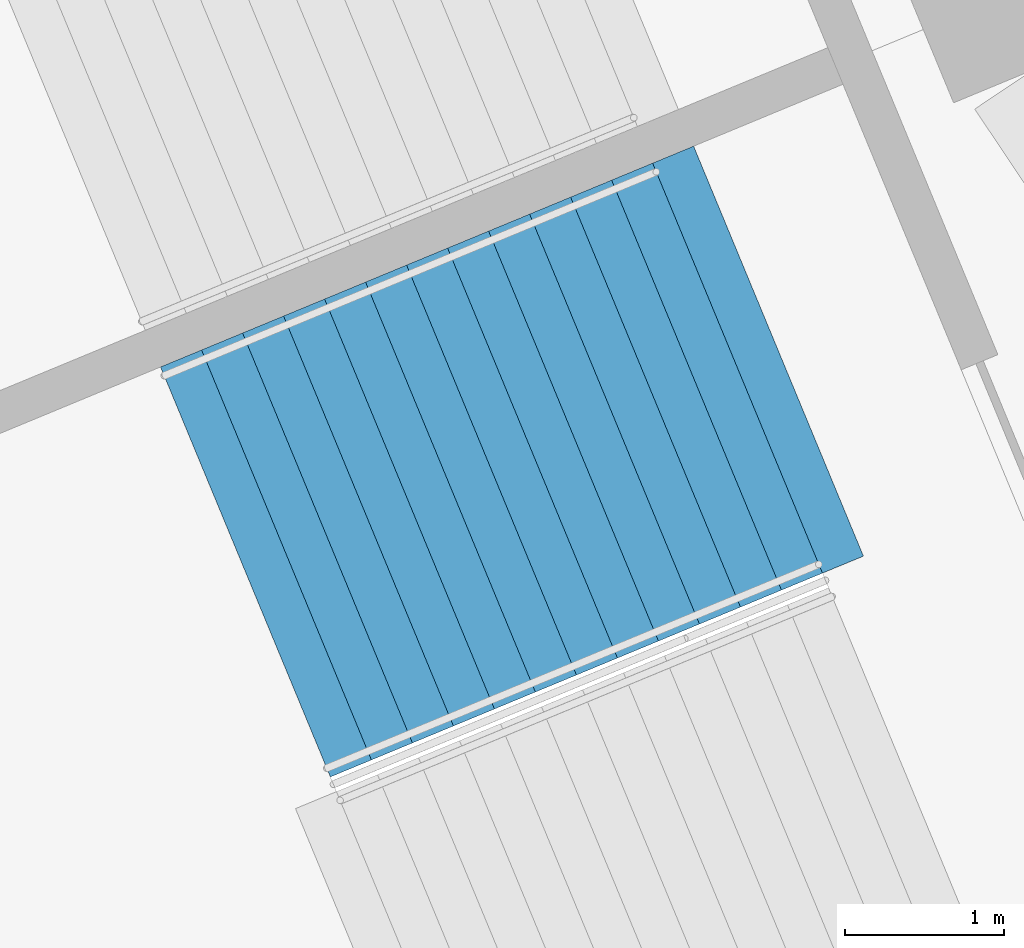
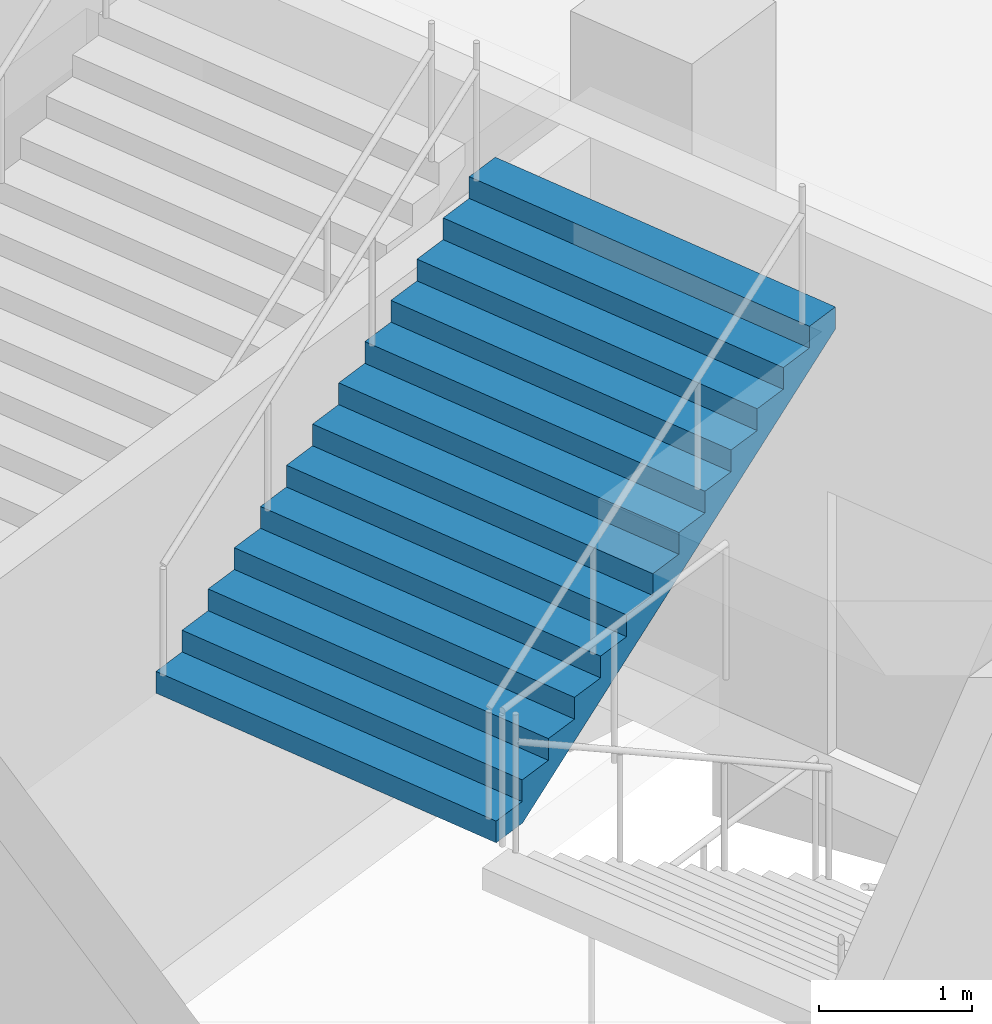
# One storey, part 111 of 199: 1 stair flight, 1 element without a shape of its own.
"""IFC4 building model written with IfcOpenShell, lengths in metres."""

import ifcopenshell
import ifcopenshell.guid

model = None  # the IFC model being written
_history = None  # IfcOwnerHistory: only IFC2X3 demands one
_inside = {}  # id of a spatial element -> (the spatial element, [elements in it])
_under = {}  # id of a project, library or spatial element -> (it, [spatial elements below it])
_declared = {}  # id of a project -> (the project, [libraries it declares])
_typed = {}  # id of a type object -> (the type object, [elements of that type])
_made_of = {}  # id of a material, layer set ... -> (it, [elements and type objects made of it])


def new_model(schema):
    """Start an empty IFC model of exactly this schema.

    Asked for "IFC4X3", IfcOpenShell would pick the latest addendum, in which some entities
    have other attributes; the version numbers below select the first issue.
    IFC2X3 requires an IfcOwnerHistory on every rooted entity: one is made here for all.
    """
    global model, _history
    if schema == "IFC4X3":
        model = ifcopenshell.file(schema_version=(4, 3, 0, 0))
    else:
        model = ifcopenshell.file(schema=schema)
    _inside.clear()
    _under.clear()
    _declared.clear()
    _typed.clear()
    _made_of.clear()
    _history = None
    if model.schema == "IFC2X3":
        org = make("IfcOrganization", Name="unknown")
        user = make(
            "IfcPersonAndOrganization",
            ThePerson=make("IfcPerson", FamilyName="unknown"),
            TheOrganization=org,
        )
        app = make(
            "IfcApplication",
            ApplicationDeveloper=org,
            Version="unknown",
            ApplicationFullName="unknown",
            ApplicationIdentifier="unknown",
        )
        _history = make(
            "IfcOwnerHistory",
            OwningUser=user,
            OwningApplication=app,
            ChangeAction="ADDED",
            CreationDate=0,
        )
    return model


def make(cls, **values):
    """One entity of the class cls with the attributes given. An attribute that is None is left unset."""
    return model.create_entity(
        cls, **{name: value for name, value in values.items() if value is not None}
    )


def rooted(cls, **values):
    """An entity with a GlobalId (a new one), such as an element, a storey or a relation."""
    return make(cls, GlobalId=ifcopenshell.guid.new(), OwnerHistory=_history, **values)


def si_unit(unit_type, name, prefix=None):
    """IfcSIUnit, for example si_unit("LENGTHUNIT", "METRE", prefix="MILLI")."""
    return make("IfcSIUnit", UnitType=unit_type, Prefix=prefix, Name=name)


def assignment(units):
    """IfcUnitAssignment: the units of a project."""
    return None if units is None else make("IfcUnitAssignment", Units=units)


def point(xyz):
    """IfcCartesianPoint."""
    return None if xyz is None else make("IfcCartesianPoint", Coordinates=xyz)


def direction(xyz):
    """IfcDirection."""
    return None if xyz is None else make("IfcDirection", DirectionRatios=xyz)


def frame(location, z_axis=None, x_axis=None):
    """IfcAxis2Placement3D, a coordinate frame: its origin and axes. An axis left out is left unset."""
    return make(
        "IfcAxis2Placement3D",
        Location=point(location),
        Axis=direction(z_axis),
        RefDirection=direction(x_axis),
    )


def origin():
    """The frame at (0, 0, 0) with its axes left unset."""
    return frame((0.0, 0.0, 0.0))


def place(relative_to, where):
    """IfcLocalPlacement: puts the frame where relative to a parent placement (None: the world)."""
    return make(
        "IfcLocalPlacement", PlacementRelTo=relative_to, RelativePlacement=where
    )


def context(
    kind, dimensions, precision=None, world=None, true_north=None, identifier=None
):
    """IfcGeometricRepresentationContext, for example the 3D "Model" context."""
    return make(
        "IfcGeometricRepresentationContext",
        ContextIdentifier=identifier,
        ContextType=kind,
        CoordinateSpaceDimension=dimensions,
        Precision=precision,
        WorldCoordinateSystem=world,
        TrueNorth=true_north,
    )


def subcontext(parent, identifier, kind, view, scale=None):
    """IfcGeometricRepresentationSubContext, for example "Body" below "Model"."""
    return make(
        "IfcGeometricRepresentationSubContext",
        ContextIdentifier=identifier,
        ContextType=kind,
        ParentContext=parent,
        TargetScale=scale,
        TargetView=view,
    )


def project(units=None, contexts=None):
    """IfcProject with its units and contexts."""
    return rooted(
        "IfcProject",
        Name="project",
        RepresentationContexts=contexts,
        UnitsInContext=assignment(units),
    )


def spatial(cls, under=None, at=None, **own):
    """A site, building, storey or space (cls), placed at a placement, below another one or the project."""
    s = rooted(cls, ObjectPlacement=at, **own)
    if under is not None:
        _under.setdefault(under.id(), (under, []))[1].append(s)
    return s


def faces_of(points, faces, orient=None, outer=None):
    """IfcFace entities. A face is a list of loops; a loop is a list of indices into points, from 0.

    orient and outer hold one flag for each loop. By default every Orientation is true, the
    first loop of a face is its IfcFaceOuterBound and the others are IfcFaceBound.
    """
    made = []
    for i, loops in enumerate(faces):
        bounds = []
        for j, loop in enumerate(loops):
            is_outer = j == 0 if outer is None else outer[i][j]
            bounds.append(
                make(
                    "IfcFaceOuterBound" if is_outer else "IfcFaceBound",
                    Bound=make("IfcPolyLoop", Polygon=[points[k] for k in loop]),
                    Orientation=True if orient is None else orient[i][j],
                )
            )
        made.append(make("IfcFace", Bounds=bounds))
    return made


def faceted_brep(points, faces, orient=None, outer=None, voids=None):
    """IfcFacetedBrep: a solid bounded by flat faces; with voids (closed shells), ...WithVoids."""
    shared = [point(p) for p in points]
    hull = make("IfcClosedShell", CfsFaces=faces_of(shared, faces, orient, outer))
    if voids is None:
        return make("IfcFacetedBrep", Outer=hull)
    return make(
        "IfcFacetedBrepWithVoids",
        Outer=hull,
        Voids=[
            make(cls, CfsFaces=faces_of(shared, fs, o, b)) for cls, fs, o, b in voids
        ],
    )


def shape(context_of_items, identifier, shape_type, items):
    """IfcShapeRepresentation: the items that make up one representation, for example the "Body"."""
    return make(
        "IfcShapeRepresentation",
        ContextOfItems=context_of_items,
        RepresentationIdentifier=identifier,
        RepresentationType=shape_type,
        Items=items,
    )


def material(Name=None, Category=None):
    """IfcMaterial."""
    return make("IfcMaterial", Name=Name, Category=Category)


def made_of(thing, what):
    """Note that an element or type object is made of a material, layer set ...; save() writes the relation."""
    if what is not None:
        _made_of.setdefault(what.id(), (what, []))[1].append(thing)
    return thing


def type_object(cls, material=None, **own):
    """A type object (cls), such as IfcWallType, which elements share."""
    return made_of(rooted(cls, **own), material)


def element(
    cls,
    number,
    at=None,
    inside=None,
    cuts=None,
    type_object=None,
    material=None,
    context=None,
    identifier="Body",
    shape_type=None,
    held_by="IfcProductDefinitionShape",
    body=None,
    shapes=None,
    **own,
):
    """One element of the class cls, such as IfcWall. Its Tag is "e" and its number.

    at: its placement. inside: the storey or other place that contains it. cuts: it is an
    opening in that element (IfcRelVoidsElement). A single representation is given by context,
    identifier, shape_type and body (its items); several are given by shapes. held_by: the class
    of the entity that holds the representations. save() writes the other relations.
    """
    e = rooted(cls, Tag="e%d" % number, ObjectPlacement=at, **own)
    if body is not None:
        shapes = [shape(context, identifier, shape_type, body)]
    if shapes is not None:
        e.Representation = make(held_by, Representations=shapes)
    if inside is not None:
        _inside.setdefault(inside.id(), (inside, []))[1].append(e)
    if cuts is not None:
        rooted(
            "IfcRelVoidsElement", RelatingBuildingElement=cuts, RelatedOpeningElement=e
        )
    if type_object is not None:
        _typed.setdefault(type_object.id(), (type_object, []))[1].append(e)
    return made_of(e, material)


def aggregate(whole, parts):
    """IfcRelAggregates: a whole, such as a stair, and the parts it consists of."""
    return rooted("IfcRelAggregates", RelatingObject=whole, RelatedObjects=parts)


def save(model, path):
    """Write the relations noted so far, then the file.

    IfcRelAggregates (storeys below a building ...), IfcRelContainedInSpatialStructure (elements
    in a storey), IfcRelDefinesByType, IfcRelAssociatesMaterial and IfcRelDeclares: one each for
    every whole, place, type object, material and project.
    """
    for whole, parts in _under.values():
        aggregate(whole, parts)
    for where, things in _inside.values():
        rooted(
            "IfcRelContainedInSpatialStructure",
            RelatedElements=things,
            RelatingStructure=where,
        )
    for kind, things in _typed.values():
        rooted("IfcRelDefinesByType", RelatedObjects=things, RelatingType=kind)
    for what, things in _made_of.values():
        rooted("IfcRelAssociatesMaterial", RelatedObjects=things, RelatingMaterial=what)
    for by, libraries in _declared.values():
        rooted("IfcRelDeclares", RelatingContext=by, RelatedDefinitions=libraries)
    model.write(path)


model = new_model("IFC4")

# Units and contexts
model_context = context("Model", 3, precision=1e-05, world=origin(), true_north=direction((0.0, 1.0)))
body_context = subcontext(model_context, "Body", "Model", "MODEL_VIEW")
ifc_project = project(units=[si_unit("LENGTHUNIT", "METRE"), si_unit("AREAUNIT", "SQUARE_METRE"), si_unit("VOLUMEUNIT", "CUBIC_METRE"), si_unit("PLANEANGLEUNIT", "RADIAN"), si_unit("MASSUNIT", "GRAM", prefix="KILO")], contexts=[model_context])

# Site, building, storey
site_placement = place(None, origin())
site = spatial("IfcSite", under=ifc_project, at=site_placement, CompositionType="ELEMENT")
building_placement = place(site_placement, origin())
building = spatial("IfcBuilding", under=site, at=building_placement, Name="Ogive Plaza Stadium", CompositionType="ELEMENT")
storey_placement = place(building_placement, frame((0.0, 0.0, 9.0)))
storey = spatial("IfcBuildingStorey", under=building, at=storey_placement, Name="L02", CompositionType="ELEMENT", Elevation=9.0)

# Stair, stair flight
ifc_material_1 = material(Name="Concrete C40/50", Category="concrete")
stair_type = type_object("IfcStairType", Name="Exit stair", PredefinedType="STRAIGHT_RUN_STAIR", material=ifc_material_1)
stair_placement = place(storey_placement, origin())
stair = element("IfcStair", 1, at=stair_placement, inside=storey, type_object=stair_type, Name="Exit stair ST20B L02 to L03", PredefinedType="STRAIGHT_RUN_STAIR")
ifc_material_2 = material(Name="Concrete C40/50", Category="concrete")
stair_flight_type = type_object("IfcStairFlightType", Name="Exit stair flight", PredefinedType="STRAIGHT", material=ifc_material_2)
stair_flight_placement = place(storey_placement, frame((-75.64697265625, -71.4013671875, 2.25), z_axis=(0.0, 0.0, 1.0), x_axis=(0.923879532511, 0.382683432365, 0.0)))
stair_flight = element("IfcStairFlight", 2, at=stair_flight_placement, type_object=stair_flight_type, Name="ST20B flight 2", NumberOfRisers=13, NumberOfTreads=12, PredefinedType="STRAIGHT", RiserHeight=0.173076923, TreadLength=0.28, context=body_context, shape_type="Brep", body=[
    faceted_brep([(0.28515625, -1.39990234375, 0.0), (3.639892578125, -1.39990234375, 2.07373046875), (3.639892578125, -1.39990234375, 2.25), (3.360107421875, -1.39990234375, 2.25), (3.360107421875, -1.39990234375, 2.076904296875), (3.080078125, -1.39990234375, 2.076904296875), (3.080078125, -1.39990234375, 1.90380859375), (2.800048828125, -1.39990234375, 1.90380859375), (2.800048828125, -1.39990234375, 1.730712890625), (2.52001953125, -1.39990234375, 1.730712890625), (2.52001953125, -1.39990234375, 1.5576171875), (2.239990234375, -1.39990234375, 1.5576171875), (2.239990234375, -1.39990234375, 1.384521484375), (1.9599609375, -1.39990234375, 1.384521484375), (1.9599609375, -1.39990234375, 1.21142578125), (1.679931640625, -1.39990234375, 1.21142578125), (1.679931640625, -1.39990234375, 1.03857421875), (1.39990234375, -1.39990234375, 1.03857421875), (1.39990234375, -1.39990234375, 0.865478515625), (1.1201171875, -1.39990234375, 0.865478515625), (1.1201171875, -1.39990234375, 0.6923828125), (0.840087890625, -1.39990234375, 0.6923828125), (0.840087890625, -1.39990234375, 0.519287109375), (0.56005859375, -1.39990234375, 0.519287109375), (0.56005859375, -1.39990234375, 0.34619140625), (0.280029296875, -1.39990234375, 0.34619140625), (0.280029296875, -1.39990234375, 0.173095703125), (0.0, -1.39990234375, 0.173095703125), (0.0, -1.39990234375, 0.0), (0.0, 1.39990234375, 0.0), (0.0, 1.39990234375, 0.173095703125), (0.280029296875, 1.39990234375, 0.173095703125), (0.280029296875, 1.39990234375, 0.34619140625), (0.56005859375, 1.39990234375, 0.34619140625), (0.56005859375, 1.39990234375, 0.519287109375), (0.840087890625, 1.39990234375, 0.519287109375), (0.840087890625, 1.39990234375, 0.6923828125), (1.1201171875, 1.39990234375, 0.6923828125), (1.1201171875, 1.39990234375, 0.865478515625), (1.39990234375, 1.39990234375, 0.865478515625), (1.39990234375, 1.39990234375, 1.03857421875), (1.679931640625, 1.39990234375, 1.03857421875), (1.679931640625, 1.39990234375, 1.21142578125), (1.9599609375, 1.39990234375, 1.21142578125), (1.9599609375, 1.39990234375, 1.384521484375), (2.239990234375, 1.39990234375, 1.384521484375), (2.239990234375, 1.39990234375, 1.5576171875), (2.52001953125, 1.39990234375, 1.5576171875), (2.52001953125, 1.39990234375, 1.730712890625), (2.800048828125, 1.39990234375, 1.730712890625), (2.800048828125, 1.39990234375, 1.90380859375), (3.080078125, 1.39990234375, 1.90380859375), (3.080078125, 1.39990234375, 2.076904296875), (3.360107421875, 1.39990234375, 2.076904296875), (3.360107421875, 1.39990234375, 2.25), (3.639892578125, 1.39990234375, 2.25), (3.639892578125, 1.39990234375, 2.07373046875), (0.28515625, 1.39990234375, 0.0), (0.28515625, -1.0888671875, 0.0), (3.639892578125, -1.0888671875, 2.07373046875), (0.28515625, -0.77783203125, 0.0), (3.639892578125, -0.77783203125, 2.07373046875), (0.28515625, -0.466796875, 0.0), (3.639892578125, -0.466796875, 2.07373046875), (0.28515625, -0.155517578125, 0.0), (3.639892578125, -0.155517578125, 2.07373046875), (0.28515625, 0.155517578125, 0.0), (3.639892578125, 0.155517578125, 2.07373046875), (0.28515625, 0.466796875, 0.0), (3.639892578125, 0.466796875, 2.07373046875), (0.28515625, 0.77783203125, 0.0), (3.639892578125, 0.77783203125, 2.07373046875), (0.28515625, 1.0888671875, 0.0), (3.639892578125, 1.0888671875, 2.07373046875), (3.639892578125, -1.0888671875, 2.25), (3.639892578125, -0.77783203125, 2.25), (3.639892578125, -0.466796875, 2.25), (3.639892578125, -0.155517578125, 2.25), (3.639892578125, 0.155517578125, 2.25), (3.639892578125, 0.466796875, 2.25), (3.639892578125, 0.77783203125, 2.25), (3.639892578125, 1.0888671875, 2.25), (3.360107421875, -1.0888671875, 2.25), (3.360107421875, -0.77783203125, 2.25), (3.360107421875, -0.466796875, 2.25), (3.360107421875, -0.155517578125, 2.25), (3.360107421875, 0.155517578125, 2.25), (3.360107421875, 0.466796875, 2.25), (3.360107421875, 0.77783203125, 2.25), (3.360107421875, 1.0888671875, 2.25), (3.360107421875, -1.0888671875, 2.076904296875), (3.360107421875, -0.77783203125, 2.076904296875), (3.360107421875, -0.466796875, 2.076904296875), (3.360107421875, -0.155517578125, 2.076904296875), (3.360107421875, 0.155517578125, 2.076904296875), (3.360107421875, 0.466796875, 2.076904296875), (3.360107421875, 0.77783203125, 2.076904296875), (3.360107421875, 1.0888671875, 2.076904296875), (3.080078125, -1.0888671875, 2.076904296875), (3.080078125, -0.77783203125, 2.076904296875), (3.080078125, -0.466796875, 2.076904296875), (3.080078125, -0.155517578125, 2.076904296875), (3.080078125, 0.155517578125, 2.076904296875), (3.080078125, 0.466796875, 2.076904296875), (3.080078125, 0.77783203125, 2.076904296875), (3.080078125, 1.0888671875, 2.076904296875), (3.080078125, -1.0888671875, 1.90380859375), (3.080078125, -0.77783203125, 1.90380859375), (3.080078125, -0.466796875, 1.90380859375), (3.080078125, -0.155517578125, 1.90380859375), (3.080078125, 0.155517578125, 1.90380859375), (3.080078125, 0.466796875, 1.90380859375), (3.080078125, 0.77783203125, 1.90380859375), (3.080078125, 1.0888671875, 1.90380859375), (2.800048828125, -1.0888671875, 1.90380859375), (2.800048828125, -0.77783203125, 1.90380859375), (2.800048828125, -0.466796875, 1.90380859375), (2.800048828125, -0.155517578125, 1.90380859375), (2.800048828125, 0.155517578125, 1.90380859375), (2.800048828125, 0.466796875, 1.90380859375), (2.800048828125, 0.77783203125, 1.90380859375), (2.800048828125, 1.0888671875, 1.90380859375), (2.800048828125, -1.0888671875, 1.730712890625), (2.800048828125, -0.77783203125, 1.730712890625), (2.800048828125, -0.466796875, 1.730712890625), (2.800048828125, -0.155517578125, 1.730712890625), (2.800048828125, 0.155517578125, 1.730712890625), (2.800048828125, 0.466796875, 1.730712890625), (2.800048828125, 0.77783203125, 1.730712890625), (2.800048828125, 1.0888671875, 1.730712890625), (2.52001953125, -1.0888671875, 1.730712890625), (2.52001953125, -0.77783203125, 1.730712890625), (2.52001953125, -0.466796875, 1.730712890625), (2.52001953125, -0.155517578125, 1.730712890625), (2.52001953125, 0.155517578125, 1.730712890625), (2.52001953125, 0.466796875, 1.730712890625), (2.52001953125, 0.77783203125, 1.730712890625), (2.52001953125, 1.0888671875, 1.730712890625), (2.52001953125, -1.0888671875, 1.5576171875), (2.52001953125, -0.77783203125, 1.5576171875), (2.52001953125, -0.466796875, 1.5576171875), (2.52001953125, -0.155517578125, 1.5576171875), (2.52001953125, 0.155517578125, 1.5576171875), (2.52001953125, 0.466796875, 1.5576171875), (2.52001953125, 0.77783203125, 1.5576171875), (2.52001953125, 1.0888671875, 1.5576171875), (2.239990234375, -1.0888671875, 1.5576171875), (2.239990234375, -0.77783203125, 1.5576171875), (2.239990234375, -0.466796875, 1.5576171875), (2.239990234375, -0.155517578125, 1.5576171875), (2.239990234375, 0.155517578125, 1.5576171875), (2.239990234375, 0.466796875, 1.5576171875), (2.239990234375, 0.77783203125, 1.5576171875), (2.239990234375, 1.0888671875, 1.5576171875), (2.239990234375, -1.0888671875, 1.384521484375), (2.239990234375, -0.77783203125, 1.384521484375), (2.239990234375, -0.466796875, 1.384521484375), (2.239990234375, -0.155517578125, 1.384521484375), (2.239990234375, 0.155517578125, 1.384521484375), (2.239990234375, 0.466796875, 1.384521484375), (2.239990234375, 0.77783203125, 1.384521484375), (2.239990234375, 1.0888671875, 1.384521484375), (1.9599609375, -1.0888671875, 1.384521484375), (1.9599609375, -0.77783203125, 1.384521484375), (1.9599609375, -0.466796875, 1.384521484375), (1.9599609375, -0.155517578125, 1.384521484375), (1.9599609375, 0.155517578125, 1.384521484375), (1.9599609375, 0.466796875, 1.384521484375), (1.9599609375, 0.77783203125, 1.384521484375), (1.9599609375, 1.0888671875, 1.384521484375), (1.9599609375, -1.0888671875, 1.21142578125), (1.9599609375, -0.77783203125, 1.21142578125), (1.9599609375, -0.466796875, 1.21142578125), (1.9599609375, -0.155517578125, 1.21142578125), (1.9599609375, 0.155517578125, 1.21142578125), (1.9599609375, 0.466796875, 1.21142578125), (1.9599609375, 0.77783203125, 1.21142578125), (1.9599609375, 1.0888671875, 1.21142578125), (1.679931640625, -1.0888671875, 1.21142578125), (1.679931640625, -0.77783203125, 1.21142578125), (1.679931640625, -0.466796875, 1.21142578125), (1.679931640625, -0.155517578125, 1.21142578125), (1.679931640625, 0.155517578125, 1.21142578125), (1.679931640625, 0.466796875, 1.21142578125), (1.679931640625, 0.77783203125, 1.21142578125), (1.679931640625, 1.0888671875, 1.21142578125), (1.679931640625, -1.0888671875, 1.03857421875), (1.679931640625, -0.77783203125, 1.03857421875), (1.679931640625, -0.466796875, 1.03857421875), (1.679931640625, -0.155517578125, 1.03857421875), (1.679931640625, 0.155517578125, 1.03857421875), (1.679931640625, 0.466796875, 1.03857421875), (1.679931640625, 0.77783203125, 1.03857421875), (1.679931640625, 1.0888671875, 1.03857421875), (1.39990234375, -1.0888671875, 1.03857421875), (1.39990234375, -0.77783203125, 1.03857421875), (1.39990234375, -0.466796875, 1.03857421875), (1.39990234375, -0.155517578125, 1.03857421875), (1.39990234375, 0.155517578125, 1.03857421875), (1.39990234375, 0.466796875, 1.03857421875), (1.39990234375, 0.77783203125, 1.03857421875), (1.39990234375, 1.0888671875, 1.03857421875), (1.39990234375, -1.0888671875, 0.865478515625), (1.39990234375, -0.77783203125, 0.865478515625), (1.39990234375, -0.466796875, 0.865478515625), (1.39990234375, -0.155517578125, 0.865478515625), (1.39990234375, 0.155517578125, 0.865478515625), (1.39990234375, 0.466796875, 0.865478515625), (1.39990234375, 0.77783203125, 0.865478515625), (1.39990234375, 1.0888671875, 0.865478515625), (1.1201171875, -1.0888671875, 0.865478515625), (1.1201171875, -0.77783203125, 0.865478515625), (1.1201171875, -0.466796875, 0.865478515625), (1.1201171875, -0.155517578125, 0.865478515625), (1.1201171875, 0.155517578125, 0.865478515625), (1.1201171875, 0.466796875, 0.865478515625), (1.1201171875, 0.77783203125, 0.865478515625), (1.1201171875, 1.0888671875, 0.865478515625), (1.1201171875, -1.0888671875, 0.6923828125), (1.1201171875, -0.77783203125, 0.6923828125), (1.1201171875, -0.466796875, 0.6923828125), (1.1201171875, -0.155517578125, 0.6923828125), (1.1201171875, 0.155517578125, 0.6923828125), (1.1201171875, 0.466796875, 0.6923828125), (1.1201171875, 0.77783203125, 0.6923828125), (1.1201171875, 1.0888671875, 0.6923828125), (0.840087890625, -1.0888671875, 0.6923828125), (0.840087890625, -0.77783203125, 0.6923828125), (0.840087890625, -0.466796875, 0.6923828125), (0.840087890625, -0.155517578125, 0.6923828125), (0.840087890625, 0.155517578125, 0.6923828125), (0.840087890625, 0.466796875, 0.6923828125), (0.840087890625, 0.77783203125, 0.6923828125), (0.840087890625, 1.0888671875, 0.6923828125), (0.840087890625, -1.0888671875, 0.519287109375), (0.840087890625, -0.77783203125, 0.519287109375), (0.840087890625, -0.466796875, 0.519287109375), (0.840087890625, -0.155517578125, 0.519287109375), (0.840087890625, 0.155517578125, 0.519287109375), (0.840087890625, 0.466796875, 0.519287109375), (0.840087890625, 0.77783203125, 0.519287109375), (0.840087890625, 1.0888671875, 0.519287109375), (0.56005859375, -1.0888671875, 0.519287109375), (0.56005859375, -0.77783203125, 0.519287109375), (0.56005859375, -0.466796875, 0.519287109375), (0.56005859375, -0.155517578125, 0.519287109375), (0.56005859375, 0.155517578125, 0.519287109375), (0.56005859375, 0.466796875, 0.519287109375), (0.56005859375, 0.77783203125, 0.519287109375), (0.56005859375, 1.0888671875, 0.519287109375), (0.56005859375, -1.0888671875, 0.34619140625), (0.56005859375, -0.77783203125, 0.34619140625), (0.56005859375, -0.466796875, 0.34619140625), (0.56005859375, -0.155517578125, 0.34619140625), (0.56005859375, 0.155517578125, 0.34619140625), (0.56005859375, 0.466796875, 0.34619140625), (0.56005859375, 0.77783203125, 0.34619140625), (0.56005859375, 1.0888671875, 0.34619140625), (0.280029296875, -1.0888671875, 0.34619140625), (0.280029296875, -0.77783203125, 0.34619140625), (0.280029296875, -0.466796875, 0.34619140625), (0.280029296875, -0.155517578125, 0.34619140625), (0.280029296875, 0.155517578125, 0.34619140625), (0.280029296875, 0.466796875, 0.34619140625), (0.280029296875, 0.77783203125, 0.34619140625), (0.280029296875, 1.0888671875, 0.34619140625), (0.280029296875, -1.0888671875, 0.173095703125), (0.280029296875, -0.77783203125, 0.173095703125), (0.280029296875, -0.466796875, 0.173095703125), (0.280029296875, -0.155517578125, 0.173095703125), (0.280029296875, 0.155517578125, 0.173095703125), (0.280029296875, 0.466796875, 0.173095703125), (0.280029296875, 0.77783203125, 0.173095703125), (0.280029296875, 1.0888671875, 0.173095703125), (0.0, -1.0888671875, 0.173095703125), (0.0, -0.77783203125, 0.173095703125), (0.0, -0.466796875, 0.173095703125), (0.0, -0.155517578125, 0.173095703125), (0.0, 0.155517578125, 0.173095703125), (0.0, 0.466796875, 0.173095703125), (0.0, 0.77783203125, 0.173095703125), (0.0, 1.0888671875, 0.173095703125), (0.0, -1.0888671875, 0.0), (0.0, -0.77783203125, 0.0), (0.0, -0.466796875, 0.0), (0.0, -0.155517578125, 0.0), (0.0, 0.155517578125, 0.0), (0.0, 0.466796875, 0.0), (0.0, 0.77783203125, 0.0), (0.0, 1.0888671875, 0.0)], [[[0, 1, 2, 3, 4, 5, 6, 7, 8, 9, 10, 11, 12, 13, 14, 15, 16, 17, 18, 19, 20, 21, 22, 23, 24, 25, 26, 27, 28]], [[29, 30, 31, 32, 33, 34, 35, 36, 37, 38, 39, 40, 41, 42, 43, 44, 45, 46, 47, 48, 49, 50, 51, 52, 53, 54, 55, 56, 57]], [[0, 58, 59, 1]], [[58, 60, 61, 59]], [[60, 62, 63, 61]], [[62, 64, 65, 63]], [[64, 66, 67, 65]], [[66, 68, 69, 67]], [[68, 70, 71, 69]], [[70, 72, 73, 71]], [[72, 57, 56, 73]], [[1, 59, 74, 2]], [[59, 61, 75, 74]], [[61, 63, 76, 75]], [[63, 65, 77, 76]], [[65, 67, 78, 77]], [[67, 69, 79, 78]], [[69, 71, 80, 79]], [[71, 73, 81, 80]], [[73, 56, 55, 81]], [[2, 74, 82, 3]], [[74, 75, 83, 82]], [[75, 76, 84, 83]], [[76, 77, 85, 84]], [[77, 78, 86, 85]], [[78, 79, 87, 86]], [[79, 80, 88, 87]], [[80, 81, 89, 88]], [[81, 55, 54, 89]], [[3, 82, 90, 4]], [[82, 83, 91, 90]], [[83, 84, 92, 91]], [[84, 85, 93, 92]], [[85, 86, 94, 93]], [[86, 87, 95, 94]], [[87, 88, 96, 95]], [[88, 89, 97, 96]], [[89, 54, 53, 97]], [[4, 90, 98, 5]], [[90, 91, 99, 98]], [[91, 92, 100, 99]], [[92, 93, 101, 100]], [[93, 94, 102, 101]], [[94, 95, 103, 102]], [[95, 96, 104, 103]], [[96, 97, 105, 104]], [[97, 53, 52, 105]], [[5, 98, 106, 6]], [[98, 99, 107, 106]], [[99, 100, 108, 107]], [[100, 101, 109, 108]], [[101, 102, 110, 109]], [[102, 103, 111, 110]], [[103, 104, 112, 111]], [[104, 105, 113, 112]], [[105, 52, 51, 113]], [[6, 106, 114, 7]], [[106, 107, 115, 114]], [[107, 108, 116, 115]], [[108, 109, 117, 116]], [[109, 110, 118, 117]], [[110, 111, 119, 118]], [[111, 112, 120, 119]], [[112, 113, 121, 120]], [[113, 51, 50, 121]], [[7, 114, 122, 8]], [[114, 115, 123, 122]], [[115, 116, 124, 123]], [[116, 117, 125, 124]], [[117, 118, 126, 125]], [[118, 119, 127, 126]], [[119, 120, 128, 127]], [[120, 121, 129, 128]], [[121, 50, 49, 129]], [[8, 122, 130, 9]], [[122, 123, 131, 130]], [[123, 124, 132, 131]], [[124, 125, 133, 132]], [[125, 126, 134, 133]], [[126, 127, 135, 134]], [[127, 128, 136, 135]], [[128, 129, 137, 136]], [[129, 49, 48, 137]], [[9, 130, 138, 10]], [[130, 131, 139, 138]], [[131, 132, 140, 139]], [[132, 133, 141, 140]], [[133, 134, 142, 141]], [[134, 135, 143, 142]], [[135, 136, 144, 143]], [[136, 137, 145, 144]], [[137, 48, 47, 145]], [[10, 138, 146, 11]], [[138, 139, 147, 146]], [[139, 140, 148, 147]], [[140, 141, 149, 148]], [[141, 142, 150, 149]], [[142, 143, 151, 150]], [[143, 144, 152, 151]], [[144, 145, 153, 152]], [[145, 47, 46, 153]], [[11, 146, 154, 12]], [[146, 147, 155, 154]], [[147, 148, 156, 155]], [[148, 149, 157, 156]], [[149, 150, 158, 157]], [[150, 151, 159, 158]], [[151, 152, 160, 159]], [[152, 153, 161, 160]], [[153, 46, 45, 161]], [[12, 154, 162, 13]], [[154, 155, 163, 162]], [[155, 156, 164, 163]], [[156, 157, 165, 164]], [[157, 158, 166, 165]], [[158, 159, 167, 166]], [[159, 160, 168, 167]], [[160, 161, 169, 168]], [[161, 45, 44, 169]], [[13, 162, 170, 14]], [[162, 163, 171, 170]], [[163, 164, 172, 171]], [[164, 165, 173, 172]], [[165, 166, 174, 173]], [[166, 167, 175, 174]], [[167, 168, 176, 175]], [[168, 169, 177, 176]], [[169, 44, 43, 177]], [[14, 170, 178, 15]], [[170, 171, 179, 178]], [[171, 172, 180, 179]], [[172, 173, 181, 180]], [[173, 174, 182, 181]], [[174, 175, 183, 182]], [[175, 176, 184, 183]], [[176, 177, 185, 184]], [[177, 43, 42, 185]], [[15, 178, 186, 16]], [[178, 179, 187, 186]], [[179, 180, 188, 187]], [[180, 181, 189, 188]], [[181, 182, 190, 189]], [[182, 183, 191, 190]], [[183, 184, 192, 191]], [[184, 185, 193, 192]], [[185, 42, 41, 193]], [[16, 186, 194, 17]], [[186, 187, 195, 194]], [[187, 188, 196, 195]], [[188, 189, 197, 196]], [[189, 190, 198, 197]], [[190, 191, 199, 198]], [[191, 192, 200, 199]], [[192, 193, 201, 200]], [[193, 41, 40, 201]], [[17, 194, 202, 18]], [[194, 195, 203, 202]], [[195, 196, 204, 203]], [[196, 197, 205, 204]], [[197, 198, 206, 205]], [[198, 199, 207, 206]], [[199, 200, 208, 207]], [[200, 201, 209, 208]], [[201, 40, 39, 209]], [[18, 202, 210, 19]], [[202, 203, 211, 210]], [[203, 204, 212, 211]], [[204, 205, 213, 212]], [[205, 206, 214, 213]], [[206, 207, 215, 214]], [[207, 208, 216, 215]], [[208, 209, 217, 216]], [[209, 39, 38, 217]], [[19, 210, 218, 20]], [[210, 211, 219, 218]], [[211, 212, 220, 219]], [[212, 213, 221, 220]], [[213, 214, 222, 221]], [[214, 215, 223, 222]], [[215, 216, 224, 223]], [[216, 217, 225, 224]], [[217, 38, 37, 225]], [[20, 218, 226, 21]], [[218, 219, 227, 226]], [[219, 220, 228, 227]], [[220, 221, 229, 228]], [[221, 222, 230, 229]], [[222, 223, 231, 230]], [[223, 224, 232, 231]], [[224, 225, 233, 232]], [[225, 37, 36, 233]], [[21, 226, 234, 22]], [[226, 227, 235, 234]], [[227, 228, 236, 235]], [[228, 229, 237, 236]], [[229, 230, 238, 237]], [[230, 231, 239, 238]], [[231, 232, 240, 239]], [[232, 233, 241, 240]], [[233, 36, 35, 241]], [[22, 234, 242, 23]], [[234, 235, 243, 242]], [[235, 236, 244, 243]], [[236, 237, 245, 244]], [[237, 238, 246, 245]], [[238, 239, 247, 246]], [[239, 240, 248, 247]], [[240, 241, 249, 248]], [[241, 35, 34, 249]], [[23, 242, 250, 24]], [[242, 243, 251, 250]], [[243, 244, 252, 251]], [[244, 245, 253, 252]], [[245, 246, 254, 253]], [[246, 247, 255, 254]], [[247, 248, 256, 255]], [[248, 249, 257, 256]], [[249, 34, 33, 257]], [[24, 250, 258, 25]], [[250, 251, 259, 258]], [[251, 252, 260, 259]], [[252, 253, 261, 260]], [[253, 254, 262, 261]], [[254, 255, 263, 262]], [[255, 256, 264, 263]], [[256, 257, 265, 264]], [[257, 33, 32, 265]], [[25, 258, 266, 26]], [[258, 259, 267, 266]], [[259, 260, 268, 267]], [[260, 261, 269, 268]], [[261, 262, 270, 269]], [[262, 263, 271, 270]], [[263, 264, 272, 271]], [[264, 265, 273, 272]], [[265, 32, 31, 273]], [[26, 266, 274, 27]], [[266, 267, 275, 274]], [[267, 268, 276, 275]], [[268, 269, 277, 276]], [[269, 270, 278, 277]], [[270, 271, 279, 278]], [[271, 272, 280, 279]], [[272, 273, 281, 280]], [[273, 31, 30, 281]], [[27, 274, 282, 28]], [[274, 275, 283, 282]], [[275, 276, 284, 283]], [[276, 277, 285, 284]], [[277, 278, 286, 285]], [[278, 279, 287, 286]], [[279, 280, 288, 287]], [[280, 281, 289, 288]], [[281, 30, 29, 289]], [[28, 282, 58, 0]], [[282, 283, 60, 58]], [[283, 284, 62, 60]], [[284, 285, 64, 62]], [[285, 286, 66, 64]], [[286, 287, 68, 66]], [[287, 288, 70, 68]], [[288, 289, 72, 70]], [[289, 29, 57, 72]]]),
])
aggregate(stair, [stair_flight])

save(model, "model.ifc")
